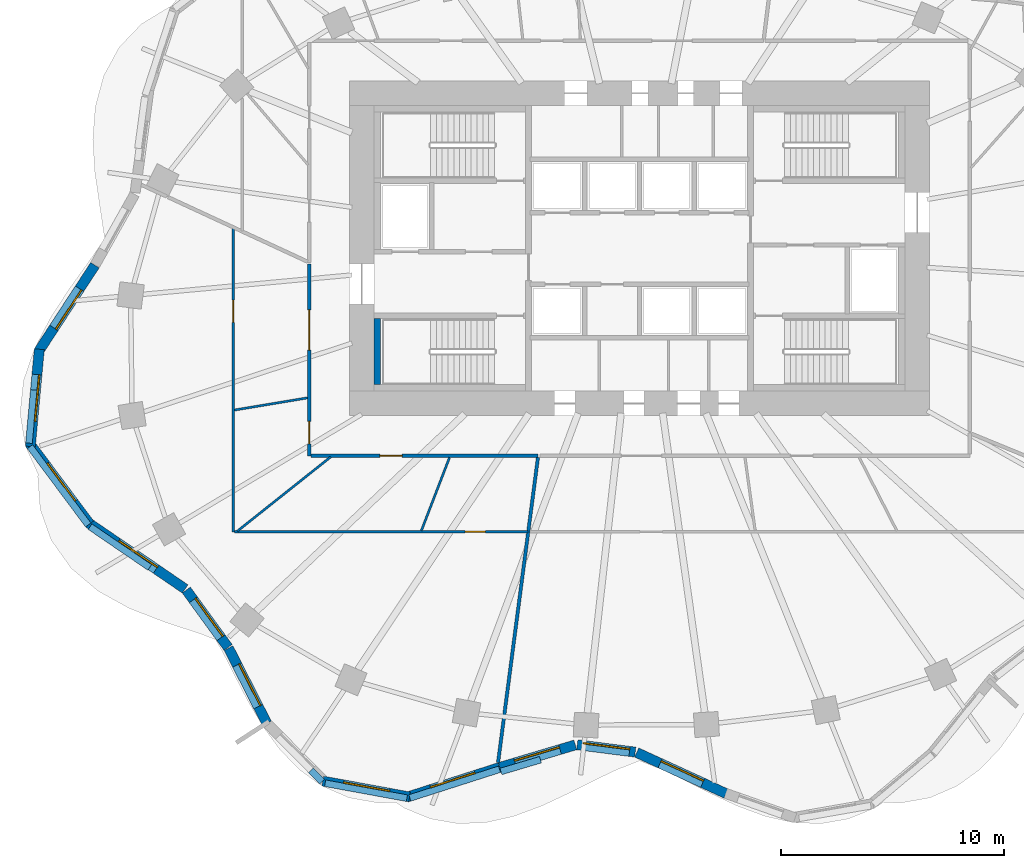
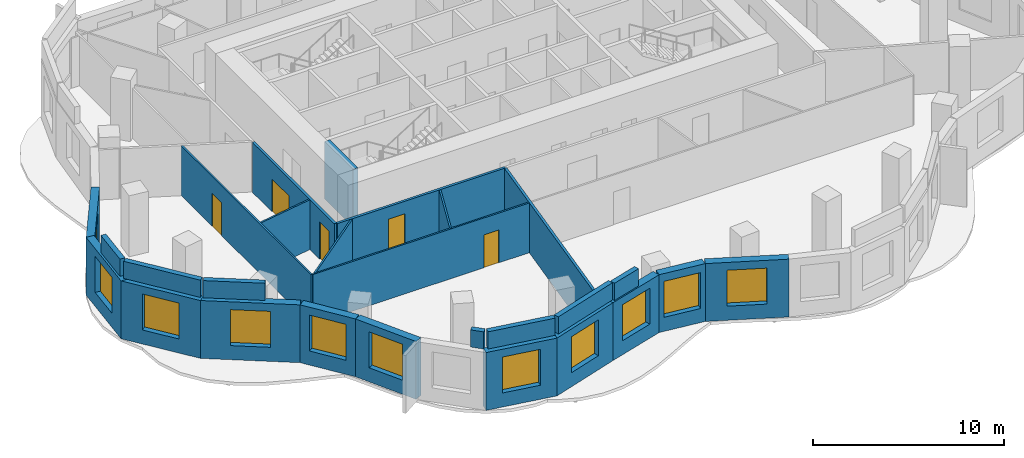
# One storey, part 3 of 9: 27 walls, 11 windows, 5 doors, 16 openings.
"""IFC4 building model written with IfcOpenShell, lengths in metres."""

from ifc_helpers import new_model, si_unit, direction, frame, frame_2d, origin, place, context, subcontext, project, spatial, rectangle, extrude, material, layer, layer_set, type_object, element, fill, save


model = new_model("IFC4")

# Units and contexts
model_context = context("Model", 3, precision=1e-05, world=origin(), true_north=direction((0.0, 1.0)))
body_context = subcontext(model_context, "Body", "Model", "MODEL_VIEW")
ifc_project = project(units=[si_unit("LENGTHUNIT", "METRE"), si_unit("AREAUNIT", "SQUARE_METRE"), si_unit("VOLUMEUNIT", "CUBIC_METRE"), si_unit("PLANEANGLEUNIT", "RADIAN"), si_unit("MASSUNIT", "GRAM", prefix="KILO")], contexts=[model_context])

# Site, building, storey
site_placement = place(None, origin())
site = spatial("IfcSite", under=ifc_project, at=site_placement, CompositionType="ELEMENT")
building_placement = place(site_placement, origin())
building = spatial("IfcBuilding", under=site, at=building_placement, Name="Rubra Terraces Tower", CompositionType="ELEMENT")
storey_placement = place(building_placement, frame((0.0, 0.0, 130.5)))
storey = spatial("IfcBuildingStorey", under=building, at=storey_placement, Name="L31", CompositionType="ELEMENT", Elevation=130.5)

# Wall, opening, window
ifc_material_1 = material(Name="Brick masonry red-brown", Category="masonry")
ifc_layer_1 = layer(ifc_material_1, 0.449951171875)
ifc_layer_set_1 = layer_set([ifc_layer_1], Name="Brick masonry red-brown")
wall_type_1 = type_object("IfcWallType", Name="Brick facade wall 450", PredefinedType="SOLIDWALL", material=ifc_layer_set_1)
wall_1_placement = place(storey_placement, frame((-24.401123046875, 3.74462890625, 0.0), z_axis=(0.0, 0.0, 1.0), x_axis=(-0.547072638725, -0.837085137819, 0.0)))
wall_1 = element("IfcWall", 1, at=wall_1_placement, inside=storey, type_object=wall_type_1, Name="Facade wall L31 bay 20", PredefinedType="SOLIDWALL", context=body_context, shape_type="SweptSolid", body=[
    extrude(rectangle(XDim=4.61572265625, YDim=0.449951171875, at=frame_2d((2.307861328125, 0.0))), origin(), (0.0, 0.0, 1.0), 3.699951171875),
])
opening_1_placement = place(wall_1_placement, frame((1.2578125, 0.0, 0.89990234375)))
opening_1 = element("IfcOpeningElement", 2, at=opening_1_placement, cuts=wall_1, Name="Opening W1B", PredefinedType="OPENING", context=body_context, shape_type="SweptSolid", body=[
    extrude(rectangle(XDim=2.10009765625, YDim=2.300048828125, at=frame_2d((1.050048828125, 1.14990234375))), frame((0.0, 0.23486328125, 0.0), z_axis=(0.0, -1.0, 0.0), x_axis=(1.0, 0.0, 0.0)), (0.0, 0.0, 1.0), 0.469970703125),
])
ifc_material_2 = material(Name="Clear glass in aluminium frame", Category="aluminium")
window_type = type_object("IfcWindowType", Name="Fixed deep-set window tall storey 2100 x 2300", PartitioningType="SINGLE_PANEL", PredefinedType="WINDOW", material=ifc_material_2)
window_1_placement = place(opening_1_placement, origin())
window_1 = element("IfcWindow", 3, at=window_1_placement, inside=storey, type_object=window_type, Name="Window L31 bay 20", OverallHeight=2.300048828125, OverallWidth=2.10009765625, PartitioningType="SINGLE_PANEL", PredefinedType="WINDOW", context=body_context, shape_type="SweptSolid", body=[
    extrude(rectangle(XDim=2.10009765625, YDim=2.300048828125, at=frame_2d((1.050048828125, 1.14990234375))), frame((0.0, 0.135009765625, 0.0), z_axis=(0.0, -1.0, 0.0), x_axis=(1.0, 0.0, 0.0)), (0.0, 0.0, 1.0), 0.06005859375),
])
fill(opening_1, window_1)

wall_2_placement = place(storey_placement, frame((-26.892822265625, -0.020751953125, 0.0), z_axis=(0.0, 0.0, 1.0), x_axis=(-0.092079421996, -0.995751665851, 0.0)))
wall_2 = element("IfcWall", 4, at=wall_2_placement, inside=storey, type_object=wall_type_1, Name="Facade wall L31 bay 21", PredefinedType="SOLIDWALL", context=body_context, shape_type="SweptSolid", body=[
    extrude(rectangle(XDim=4.37744140625, YDim=0.449951171875, at=frame_2d((2.188720703125, 0.0))), origin(), (0.0, 0.0, 1.0), 3.699951171875),
])
opening_2_placement = place(wall_2_placement, frame((1.138916015625, 0.0, 0.89990234375)))
opening_2 = element("IfcOpeningElement", 5, at=opening_2_placement, cuts=wall_2, Name="Opening W1B", PredefinedType="OPENING", context=body_context, shape_type="SweptSolid", body=[
    extrude(rectangle(XDim=2.10009765625, YDim=2.300048828125, at=frame_2d((1.050048828125, 1.14990234375))), frame((0.0, 0.23486328125, 0.0), z_axis=(0.0, -1.0, 0.0), x_axis=(1.0, 0.0, 0.0)), (0.0, 0.0, 1.0), 0.469970703125),
])
window_2_placement = place(opening_2_placement, origin())
window_2 = element("IfcWindow", 6, at=window_2_placement, inside=storey, type_object=window_type, Name="Window L31 bay 21", OverallHeight=2.300048828125, OverallWidth=2.10009765625, PartitioningType="SINGLE_PANEL", PredefinedType="WINDOW", context=body_context, shape_type="SweptSolid", body=[
    extrude(rectangle(XDim=2.10009765625, YDim=2.300048828125, at=frame_2d((1.050048828125, 1.14990234375))), frame((0.0, 0.135009765625, 0.0), z_axis=(0.0, -1.0, 0.0), x_axis=(1.0, 0.0, 0.0)), (0.0, 0.0, 1.0), 0.06005859375),
])
fill(opening_2, window_2)

wall_3_placement = place(storey_placement, frame((-27.339599609375, -4.224609375, 0.0), z_axis=(0.0, 0.0, 1.0), x_axis=(0.597544608195, -0.801835669709, 0.0)))
wall_3 = element("IfcWall", 7, at=wall_3_placement, inside=storey, type_object=wall_type_1, Name="Facade wall L31 bay 22", PredefinedType="SOLIDWALL", context=body_context, shape_type="SweptSolid", body=[
    extrude(rectangle(XDim=4.523193359375, YDim=0.449951171875, at=frame_2d((2.26171875, 0.0))), origin(), (0.0, 0.0, 1.0), 3.699951171875),
])
opening_3_placement = place(wall_3_placement, frame((1.211669921875, 0.0, 0.89990234375)))
opening_3 = element("IfcOpeningElement", 8, at=opening_3_placement, cuts=wall_3, Name="Opening W1B", PredefinedType="OPENING", context=body_context, shape_type="SweptSolid", body=[
    extrude(rectangle(XDim=2.10009765625, YDim=2.300048828125, at=frame_2d((1.050048828125, 1.14990234375))), frame((0.0, 0.23486328125, 0.0), z_axis=(0.0, -1.0, 0.0), x_axis=(1.0, 0.0, 0.0)), (0.0, 0.0, 1.0), 0.469970703125),
])
window_3_placement = place(opening_3_placement, origin())
window_3 = element("IfcWindow", 9, at=window_3_placement, inside=storey, type_object=window_type, Name="Window L31 bay 22", OverallHeight=2.300048828125, OverallWidth=2.10009765625, PartitioningType="SINGLE_PANEL", PredefinedType="WINDOW", context=body_context, shape_type="SweptSolid", body=[
    extrude(rectangle(XDim=2.10009765625, YDim=2.300048828125, at=frame_2d((1.050048828125, 1.14990234375))), frame((0.0, 0.135009765625, 0.0), z_axis=(0.0, -1.0, 0.0), x_axis=(1.0, 0.0, 0.0)), (0.0, 0.0, 1.0), 0.06005859375),
])
fill(opening_3, window_3)

wall_4_placement = place(storey_placement, frame((-24.690185546875, -7.80029296875, 0.0), z_axis=(0.0, 0.0, 1.0), x_axis=(0.825631274437, -0.564210066085, 0.0)))
wall_4 = element("IfcWall", 10, at=wall_4_placement, inside=storey, type_object=wall_type_1, Name="Facade wall L31 bay 23", PredefinedType="SOLIDWALL", context=body_context, shape_type="SweptSolid", body=[
    extrude(rectangle(XDim=5.24658203125, YDim=0.449951171875, at=frame_2d((2.623291015625, 0.0))), origin(), (0.0, 0.0, 1.0), 3.699951171875),
])
opening_4_placement = place(wall_4_placement, frame((1.573486328125, 0.0, 0.89990234375)))
opening_4 = element("IfcOpeningElement", 11, at=opening_4_placement, cuts=wall_4, Name="Opening W1B", PredefinedType="OPENING", context=body_context, shape_type="SweptSolid", body=[
    extrude(rectangle(XDim=2.10009765625, YDim=2.300048828125, at=frame_2d((1.050048828125, 1.14990234375))), frame((0.0, 0.23486328125, 0.0), z_axis=(0.0, -1.0, 0.0), x_axis=(1.0, 0.0, 0.0)), (0.0, 0.0, 1.0), 0.469970703125),
])
window_4_placement = place(opening_4_placement, origin())
window_4 = element("IfcWindow", 12, at=window_4_placement, inside=storey, type_object=window_type, Name="Window L31 bay 23", OverallHeight=2.300048828125, OverallWidth=2.10009765625, PartitioningType="SINGLE_PANEL", PredefinedType="WINDOW", context=body_context, shape_type="SweptSolid", body=[
    extrude(rectangle(XDim=2.10009765625, YDim=2.300048828125, at=frame_2d((1.050048828125, 1.14990234375))), frame((0.0, 0.135009765625, 0.0), z_axis=(0.0, -1.0, 0.0), x_axis=(1.0, 0.0, 0.0)), (0.0, 0.0, 1.0), 0.06005859375),
])
fill(opening_4, window_4)

wall_5_placement = place(storey_placement, frame((-20.307373046875, -10.808349609375, 0.0), z_axis=(0.0, 0.0, 1.0), x_axis=(0.588623179346, -0.808407541242, 0.0)))
wall_5 = element("IfcWall", 13, at=wall_5_placement, inside=storey, type_object=wall_type_1, Name="Facade wall L31 bay 24", PredefinedType="SOLIDWALL", context=body_context, shape_type="SweptSolid", body=[
    extrude(rectangle(XDim=3.1826171875, YDim=0.449951171875, at=frame_2d((1.59130859375, 0.0))), origin(), (0.0, 0.0, 1.0), 3.699951171875),
])
opening_5_placement = place(wall_5_placement, frame((0.541259765625, 0.0, 0.89990234375)))
opening_5 = element("IfcOpeningElement", 14, at=opening_5_placement, cuts=wall_5, Name="Opening W1B", PredefinedType="OPENING", context=body_context, shape_type="SweptSolid", body=[
    extrude(rectangle(XDim=2.10009765625, YDim=2.300048828125, at=frame_2d((1.050048828125, 1.14990234375))), frame((0.0, 0.23486328125, 0.0), z_axis=(0.0, -1.0, 0.0), x_axis=(1.0, 0.0, 0.0)), (0.0, 0.0, 1.0), 0.469970703125),
])
window_5_placement = place(opening_5_placement, origin())
window_5 = element("IfcWindow", 15, at=window_5_placement, inside=storey, type_object=window_type, Name="Window L31 bay 24", OverallHeight=2.300048828125, OverallWidth=2.10009765625, PartitioningType="SINGLE_PANEL", PredefinedType="WINDOW", context=body_context, shape_type="SweptSolid", body=[
    extrude(rectangle(XDim=2.10009765625, YDim=2.300048828125, at=frame_2d((1.050048828125, 1.14990234375))), frame((0.0, 0.135009765625, 0.0), z_axis=(0.0, -1.0, 0.0), x_axis=(1.0, 0.0, 0.0)), (0.0, 0.0, 1.0), 0.06005859375),
])
fill(opening_5, window_5)

wall_6_placement = place(storey_placement, frame((-18.4140625, -13.412109375, 0.0), z_axis=(0.0, 0.0, 1.0), x_axis=(0.453339558905, -0.891337895712, 0.0)))
wall_6 = element("IfcWall", 16, at=wall_6_placement, inside=storey, type_object=wall_type_1, Name="Facade wall L31 bay 25", PredefinedType="SOLIDWALL", context=body_context, shape_type="SweptSolid", body=[
    extrude(rectangle(XDim=3.78759765625, YDim=0.449951171875, at=frame_2d((1.893798828125, 0.0))), origin(), (0.0, 0.0, 1.0), 3.699951171875),
])
opening_6_placement = place(wall_6_placement, frame((0.843994140625, 0.0, 0.89990234375)))
opening_6 = element("IfcOpeningElement", 17, at=opening_6_placement, cuts=wall_6, Name="Opening W1B", PredefinedType="OPENING", context=body_context, shape_type="SweptSolid", body=[
    extrude(rectangle(XDim=2.10009765625, YDim=2.300048828125, at=frame_2d((1.050048828125, 1.14990234375))), frame((0.0, 0.23486328125, 0.0), z_axis=(0.0, -1.0, 0.0), x_axis=(1.0, 0.0, 0.0)), (0.0, 0.0, 1.0), 0.469970703125),
])
window_6_placement = place(opening_6_placement, origin())
window_6 = element("IfcWindow", 18, at=window_6_placement, inside=storey, type_object=window_type, Name="Window L31 bay 25", OverallHeight=2.300048828125, OverallWidth=2.10009765625, PartitioningType="SINGLE_PANEL", PredefinedType="WINDOW", context=body_context, shape_type="SweptSolid", body=[
    extrude(rectangle(XDim=2.10009765625, YDim=2.300048828125, at=frame_2d((1.050048828125, 1.14990234375))), frame((0.0, 0.135009765625, 0.0), z_axis=(0.0, -1.0, 0.0), x_axis=(1.0, 0.0, 0.0)), (0.0, 0.0, 1.0), 0.06005859375),
])
fill(opening_6, window_6)

wall_7_placement = place(storey_placement, frame((-14.193603515625, -19.36962890625, 0.0), z_axis=(0.0, 0.0, 1.0), x_axis=(0.983644868335, -0.180118774698, 0.0)))
wall_7 = element("IfcWall", 19, at=wall_7_placement, inside=storey, type_object=wall_type_1, Name="Facade wall L31 bay 27", PredefinedType="SOLIDWALL", context=body_context, shape_type="SweptSolid", body=[
    extrude(rectangle(XDim=3.953857421875, YDim=0.449951171875, at=frame_2d((1.97705078125, 0.0))), origin(), (0.0, 0.0, 1.0), 3.699951171875),
])
opening_7_placement = place(wall_7_placement, frame((0.9267578125, 0.0, 0.89990234375)))
opening_7 = element("IfcOpeningElement", 20, at=opening_7_placement, cuts=wall_7, Name="Opening W1B", PredefinedType="OPENING", context=body_context, shape_type="SweptSolid", body=[
    extrude(rectangle(XDim=2.10009765625, YDim=2.300048828125, at=frame_2d((1.050048828125, 1.14990234375))), frame((0.0, 0.23486328125, 0.0), z_axis=(0.0, -1.0, 0.0), x_axis=(1.0, 0.0, 0.0)), (0.0, 0.0, 1.0), 0.469970703125),
])
window_7_placement = place(opening_7_placement, origin())
window_7 = element("IfcWindow", 21, at=window_7_placement, inside=storey, type_object=window_type, Name="Window L31 bay 27", OverallHeight=2.300048828125, OverallWidth=2.10009765625, PartitioningType="SINGLE_PANEL", PredefinedType="WINDOW", context=body_context, shape_type="SweptSolid", body=[
    extrude(rectangle(XDim=2.10009765625, YDim=2.300048828125, at=frame_2d((1.050048828125, 1.14990234375))), frame((0.0, 0.135009765625, 0.0), z_axis=(0.0, -1.0, 0.0), x_axis=(1.0, 0.0, 0.0)), (0.0, 0.0, 1.0), 0.06005859375),
])
fill(opening_7, window_7)

wall_8_placement = place(storey_placement, frame((-10.410888671875, -20.087890625, 0.0), z_axis=(0.0, 0.0, 1.0), x_axis=(0.952259303219, 0.305290385423, 0.0)))
wall_8 = element("IfcWall", 22, at=wall_8_placement, inside=storey, type_object=wall_type_1, Name="Facade wall L31 bay 28", PredefinedType="SOLIDWALL", context=body_context, shape_type="SweptSolid", body=[
    extrude(rectangle(XDim=4.354248046875, YDim=0.449951171875, at=frame_2d((2.17724609375, 0.0))), origin(), (0.0, 0.0, 1.0), 3.699951171875),
])
opening_8_placement = place(wall_8_placement, frame((1.127197265625, 0.0, 0.89990234375)))
opening_8 = element("IfcOpeningElement", 23, at=opening_8_placement, cuts=wall_8, Name="Opening W1B", PredefinedType="OPENING", context=body_context, shape_type="SweptSolid", body=[
    extrude(rectangle(XDim=2.10009765625, YDim=2.300048828125, at=frame_2d((1.050048828125, 1.14990234375))), frame((0.0, 0.23486328125, 0.0), z_axis=(0.0, -1.0, 0.0), x_axis=(1.0, 0.0, 0.0)), (0.0, 0.0, 1.0), 0.469970703125),
])
window_8_placement = place(opening_8_placement, origin())
window_8 = element("IfcWindow", 24, at=window_8_placement, inside=storey, type_object=window_type, Name="Window L31 bay 28", OverallHeight=2.300048828125, OverallWidth=2.10009765625, PartitioningType="SINGLE_PANEL", PredefinedType="WINDOW", context=body_context, shape_type="SweptSolid", body=[
    extrude(rectangle(XDim=2.10009765625, YDim=2.300048828125, at=frame_2d((1.050048828125, 1.14990234375))), frame((0.0, 0.135009765625, 0.0), z_axis=(0.0, -1.0, 0.0), x_axis=(1.0, 0.0, 0.0)), (0.0, 0.0, 1.0), 0.06005859375),
])
fill(opening_8, window_8)

wall_9_placement = place(storey_placement, frame((-6.25927734375, -18.757080078125, 0.0), z_axis=(0.0, 0.0, 1.0), x_axis=(0.958402993098, 0.285418469658, 0.0)))
wall_9 = element("IfcWall", 25, at=wall_9_placement, inside=storey, type_object=wall_type_1, Name="Facade wall L31 bay 29", PredefinedType="SOLIDWALL", context=body_context, shape_type="SweptSolid", body=[
    extrude(rectangle(XDim=3.530029296875, YDim=0.449951171875, at=frame_2d((1.76513671875, 0.0))), origin(), (0.0, 0.0, 1.0), 3.699951171875),
])
opening_9_placement = place(wall_9_placement, frame((0.715087890625, 0.0, 0.89990234375)))
opening_9 = element("IfcOpeningElement", 26, at=opening_9_placement, cuts=wall_9, Name="Opening W1B", PredefinedType="OPENING", context=body_context, shape_type="SweptSolid", body=[
    extrude(rectangle(XDim=2.10009765625, YDim=2.300048828125, at=frame_2d((1.050048828125, 1.14990234375))), frame((0.0, 0.23486328125, 0.0), z_axis=(0.0, -1.0, 0.0), x_axis=(1.0, 0.0, 0.0)), (0.0, 0.0, 1.0), 0.469970703125),
])
window_9_placement = place(opening_9_placement, origin())
window_9 = element("IfcWindow", 27, at=window_9_placement, inside=storey, type_object=window_type, Name="Window L31 bay 29", OverallHeight=2.300048828125, OverallWidth=2.10009765625, PartitioningType="SINGLE_PANEL", PredefinedType="WINDOW", context=body_context, shape_type="SweptSolid", body=[
    extrude(rectangle(XDim=2.10009765625, YDim=2.300048828125, at=frame_2d((1.050048828125, 1.14990234375))), frame((0.0, 0.135009765625, 0.0), z_axis=(0.0, -1.0, 0.0), x_axis=(1.0, 0.0, 0.0)), (0.0, 0.0, 1.0), 0.06005859375),
])
fill(opening_9, window_9)

wall_10_placement = place(storey_placement, frame((-2.786865234375, -17.7431640625, 0.0), z_axis=(0.0, 0.0, 1.0), x_axis=(0.992082884112, -0.125584836078, 0.0)))
wall_10 = element("IfcWall", 28, at=wall_10_placement, inside=storey, type_object=wall_type_1, Name="Facade wall L31 bay 30", PredefinedType="SOLIDWALL", context=body_context, shape_type="SweptSolid", body=[
    extrude(rectangle(XDim=2.61669921875, YDim=0.449951171875, at=frame_2d((1.308349609375, 0.0))), origin(), (0.0, 0.0, 1.0), 3.699951171875),
])
opening_10_placement = place(wall_10_placement, frame((0.25830078125, 0.0, 0.89990234375)))
opening_10 = element("IfcOpeningElement", 29, at=opening_10_placement, cuts=wall_10, Name="Opening W1B", PredefinedType="OPENING", context=body_context, shape_type="SweptSolid", body=[
    extrude(rectangle(XDim=2.10009765625, YDim=2.300048828125, at=frame_2d((1.050048828125, 1.14990234375))), frame((0.0, 0.23486328125, 0.0), z_axis=(0.0, -1.0, 0.0), x_axis=(1.0, 0.0, 0.0)), (0.0, 0.0, 1.0), 0.469970703125),
])
window_10_placement = place(opening_10_placement, origin())
window_10 = element("IfcWindow", 30, at=window_10_placement, inside=storey, type_object=window_type, Name="Window L31 bay 30", OverallHeight=2.300048828125, OverallWidth=2.10009765625, PartitioningType="SINGLE_PANEL", PredefinedType="WINDOW", context=body_context, shape_type="SweptSolid", body=[
    extrude(rectangle(XDim=2.10009765625, YDim=2.300048828125, at=frame_2d((1.050048828125, 1.14990234375))), frame((0.0, 0.135009765625, 0.0), z_axis=(0.0, -1.0, 0.0), x_axis=(1.0, 0.0, 0.0)), (0.0, 0.0, 1.0), 0.06005859375),
])
fill(opening_10, window_10)

wall_11_placement = place(storey_placement, frame((-0.125, -18.090576171875, 0.0), z_axis=(0.0, 0.0, 1.0), x_axis=(0.908677980036, -0.417497698912, 0.0)))
wall_11 = element("IfcWall", 31, at=wall_11_placement, inside=storey, type_object=wall_type_1, Name="Facade wall L31 bay 31", PredefinedType="SOLIDWALL", context=body_context, shape_type="SweptSolid", body=[
    extrude(rectangle(XDim=4.40673828125, YDim=0.449951171875, at=frame_2d((2.203369140625, 0.0))), origin(), (0.0, 0.0, 1.0), 3.699951171875),
])
opening_11_placement = place(wall_11_placement, frame((1.153564453125, 0.0, 0.89990234375)))
opening_11 = element("IfcOpeningElement", 32, at=opening_11_placement, cuts=wall_11, Name="Opening W1B", PredefinedType="OPENING", context=body_context, shape_type="SweptSolid", body=[
    extrude(rectangle(XDim=2.10009765625, YDim=2.300048828125, at=frame_2d((1.050048828125, 1.14990234375))), frame((0.0, 0.23486328125, 0.0), z_axis=(0.0, -1.0, 0.0), x_axis=(1.0, 0.0, 0.0)), (0.0, 0.0, 1.0), 0.469970703125),
])
window_11_placement = place(opening_11_placement, origin())
window_11 = element("IfcWindow", 33, at=window_11_placement, inside=storey, type_object=window_type, Name="Window L31 bay 31", OverallHeight=2.300048828125, OverallWidth=2.10009765625, PartitioningType="SINGLE_PANEL", PredefinedType="WINDOW", context=body_context, shape_type="SweptSolid", body=[
    extrude(rectangle(XDim=2.10009765625, YDim=2.300048828125, at=frame_2d((1.050048828125, 1.14990234375))), frame((0.0, 0.135009765625, 0.0), z_axis=(0.0, -1.0, 0.0), x_axis=(1.0, 0.0, 0.0)), (0.0, 0.0, 1.0), 0.06005859375),
])
fill(opening_11, window_11)

# Walls
ifc_layer_2 = layer(ifc_material_1, 0.300048828125)
ifc_layer_set_2 = layer_set([ifc_layer_2], Name="Brick masonry red-brown")
wall_type_2 = type_object("IfcWallType", Name="Brick parapet 300", PredefinedType="PARAPET", material=ifc_layer_set_2)
wall_12_placement = place(storey_placement, frame((-27.136962890625, -1.84423828125, 3.89990234375), z_axis=(0.0, 0.0, 1.0), x_axis=(-0.09207090573, -0.995752453333, 0.0)))
element("IfcWall", 34, at=wall_12_placement, inside=storey, type_object=wall_type_2, Name="Parapet L31 bay 21", PredefinedType="PARAPET", context=body_context, shape_type="SweptSolid", body=[
    extrude(rectangle(XDim=2.39453125, YDim=0.300048828125, at=frame_2d((1.197265625, 0.0))), origin(), (0.0, 0.0, 1.0), 1.10009765625),
])
wall_13_placement = place(storey_placement, frame((-27.31298828125, -4.3857421875, 3.89990234375), z_axis=(0.0, 0.0, 1.0), x_axis=(0.59755096896, -0.801830929495, 0.0)))
element("IfcWall", 35, at=wall_13_placement, inside=storey, type_object=wall_type_2, Name="Parapet L31 bay 22", PredefinedType="PARAPET", context=body_context, shape_type="SweptSolid", body=[
    extrude(rectangle(XDim=4.375244140625, YDim=0.300048828125, at=frame_2d((2.1875, 0.0))), origin(), (0.0, 0.0, 1.0), 1.10009765625),
])
wall_14_placement = place(storey_placement, frame((-24.620361328125, -7.96923828125, 3.89990234375), z_axis=(0.0, 0.0, 1.0), x_axis=(0.825656338645, -0.564173386872, 0.0)))
element("IfcWall", 36, at=wall_14_placement, inside=storey, type_object=wall_type_2, Name="Parapet L31 bay 23", PredefinedType="PARAPET", context=body_context, shape_type="SweptSolid", body=[
    extrude(rectangle(XDim=3.24072265625, YDim=0.300048828125, at=frame_2d((1.620361328125, 0.0))), origin(), (0.0, 0.0, 1.0), 1.10009765625),
])
wall_15_placement = place(storey_placement, frame((-14.719482421875, -18.885498046875, 3.89990234375), z_axis=(0.0, 0.0, 1.0), x_axis=(0.702333802144, -0.711847757857, 0.0)))
element("IfcWall", 37, at=wall_15_placement, inside=storey, type_object=wall_type_2, Name="Parapet L31 bay 26", PredefinedType="PARAPET", context=body_context, shape_type="SweptSolid", body=[
    extrude(rectangle(XDim=0.718505859375, YDim=0.300048828125, at=frame_2d((0.359375, 0.0))), origin(), (0.0, 0.0, 1.0), 1.10009765625),
])
wall_16_placement = place(storey_placement, frame((-14.08447265625, -19.4658203125, 3.89990234375), z_axis=(0.0, 0.0, 1.0), x_axis=(0.983649941349, -0.180091068307, 0.0)))
element("IfcWall", 38, at=wall_16_placement, inside=storey, type_object=wall_type_2, Name="Parapet L31 bay 27", PredefinedType="PARAPET", context=body_context, shape_type="SweptSolid", body=[
    extrude(rectangle(XDim=3.723876953125, YDim=0.300048828125, at=frame_2d((1.86181640625, 0.0))), origin(), (0.0, 0.0, 1.0), 1.10009765625),
])
wall_17_placement = place(storey_placement, frame((-10.29052734375, -20.1279296875, 3.89990234375), z_axis=(0.0, 0.0, 1.0), x_axis=(0.95227021617, 0.305256343745, 0.0)))
element("IfcWall", 39, at=wall_17_placement, inside=storey, type_object=wall_type_2, Name="Parapet L31 bay 28", PredefinedType="PARAPET", context=body_context, shape_type="SweptSolid", body=[
    extrude(rectangle(XDim=4.220458984375, YDim=0.300048828125, at=frame_2d((2.1103515625, 0.0))), origin(), (0.0, 0.0, 1.0), 1.10009765625),
])
wall_18_placement = place(storey_placement, frame((-6.2080078125, -18.939697265625, 3.89990234375), z_axis=(0.0, 0.0, 1.0), x_axis=(0.958406458316, 0.285406833587, 0.0)))
element("IfcWall", 40, at=wall_18_placement, inside=storey, type_object=wall_type_2, Name="Parapet L31 bay 29", PredefinedType="PARAPET", context=body_context, shape_type="SweptSolid", body=[
    extrude(rectangle(XDim=1.846923828125, YDim=0.300048828125, at=frame_2d((0.92333984375, 0.0))), origin(), (0.0, 0.0, 1.0), 1.10009765625),
])

# Wall, openings, doors
ifc_material_3 = material(Name="Plasterboard on steel stud, mineral wool infill", Category="steel")
ifc_layer_3 = layer(ifc_material_3, 0.14990234375)
ifc_layer_set_3 = layer_set([ifc_layer_3], Name="Plasterboard on steel stud, mineral wool infill")
wall_type_3 = type_object("IfcWallType", Name="CORRIDOR PARTITION 150", PredefinedType="PARTITIONING", material=ifc_layer_set_3)
wall_19_placement = place(storey_placement, frame((-14.800048828125, 3.79296875, 0.0), z_axis=(0.0, 0.0, 1.0), x_axis=(0.0, -1.0, 0.0)))
wall_19 = element("IfcWall", 41, at=wall_19_placement, inside=storey, type_object=wall_type_3, Name="PARTITION", PredefinedType="PARTITIONING", context=body_context, shape_type="SweptSolid", body=[
    extrude(rectangle(XDim=8.593017578125, YDim=0.14990234375, at=frame_2d((4.29638671875, 0.0))), origin(), (0.0, 0.0, 1.0), 3.197998046875),
])
opening_12_placement = place(wall_19_placement, frame((2.052978515625, 0.0, 0.0)))
opening_12 = element("IfcOpeningElement", 42, at=opening_12_placement, cuts=wall_19, Name="Opening 31-105", PredefinedType="OPENING", context=body_context, shape_type="SweptSolid", body=[
    extrude(rectangle(XDim=1.800048828125, YDim=2.10009765625, at=frame_2d((0.89990234375, 1.050048828125))), frame((0.0, 0.0849609375, 0.0), z_axis=(0.0, -1.0, 0.0), x_axis=(1.0, 0.0, 0.0)), (0.0, 0.0, 1.0), 0.169921875),
])
opening_13_placement = place(wall_19_placement, frame((7.050048828125, 0.0, 0.0)))
opening_13 = element("IfcOpeningElement", 43, at=opening_13_placement, cuts=wall_19, Name="Opening 31-107", PredefinedType="OPENING", context=body_context, shape_type="SweptSolid", body=[
    extrude(rectangle(XDim=1.0, YDim=2.39990234375, at=frame_2d((0.5, 1.199951171875))), frame((0.0, 0.0849609375, 0.0), z_axis=(0.0, -1.0, 0.0), x_axis=(1.0, 0.0, 0.0)), (0.0, 0.0, 1.0), 0.169921875),
])
ifc_material_4 = material(Name="Glazed aluminium meeting door leaf", Category="aluminium")
door_type_1 = type_object("IfcDoorType", Name="MEETING ROOM GLAZED DOOR 1000 X 2400", OperationType="SINGLE_SWING_LEFT", PredefinedType="DOOR", material=ifc_material_4)
door_1_placement = place(opening_13_placement, origin())
door_1 = element("IfcDoor", 44, at=door_1_placement, inside=storey, type_object=door_type_1, Name="DOOR 31-107", OperationType="SINGLE_SWING_RIGHT", OverallHeight=2.39990234375, OverallWidth=1.0, PredefinedType="DOOR", context=body_context, shape_type="SweptSolid", body=[
    extrude(rectangle(XDim=1.0, YDim=2.39990234375, at=frame_2d((0.5, 1.199951171875))), frame((0.0, 0.02490234375, 0.0), z_axis=(0.0, -1.0, 0.0), x_axis=(1.0, 0.0, 0.0)), (0.0, 0.0, 1.0), 0.050048828125),
])
fill(opening_13, door_1)
ifc_material_5 = material(Name="Painted timber door leaf, double", Category="wood")
door_type_2 = type_object("IfcDoorType", Name="ROOM DOUBLE DOOR 1800 X 2100", OperationType="DOUBLE_DOOR_SINGLE_SWING", PredefinedType="DOOR", material=ifc_material_5)
door_2_placement = place(opening_12_placement, origin())
door_2 = element("IfcDoor", 45, at=door_2_placement, inside=storey, type_object=door_type_2, Name="DOOR 31-105", OperationType="DOUBLE_DOOR_SINGLE_SWING", OverallHeight=2.10009765625, OverallWidth=1.800048828125, PredefinedType="DOOR", context=body_context, shape_type="SweptSolid", body=[
    extrude(rectangle(XDim=1.800048828125, YDim=2.10009765625, at=frame_2d((0.89990234375, 1.050048828125))), frame((0.0, 0.02490234375, 0.0), z_axis=(0.0, -1.0, 0.0), x_axis=(1.0, 0.0, 0.0)), (0.0, 0.0, 1.0), 0.050048828125),
])
fill(opening_12, door_2)

# Wall, opening, door
wall_20_placement = place(storey_placement, frame((-14.72509765625, -4.800048828125, 0.0), z_axis=(0.0, 0.0, 1.0), x_axis=(1.0, 0.0, 0.0)))
wall_20 = element("IfcWall", 46, at=wall_20_placement, inside=storey, type_object=wall_type_3, Name="PARTITION", PredefinedType="PARTITIONING", context=body_context, shape_type="SweptSolid", body=[
    extrude(rectangle(XDim=10.184814453125, YDim=0.14990234375, at=frame_2d((5.09228515625, 0.0))), origin(), (0.0, 0.0, 1.0), 3.197998046875),
])
opening_14_placement = place(wall_20_placement, frame((3.093017578125, 0.0, 0.0)))
opening_14 = element("IfcOpeningElement", 47, at=opening_14_placement, cuts=wall_20, Name="Opening 31-108", PredefinedType="OPENING", context=body_context, shape_type="SweptSolid", body=[
    extrude(rectangle(XDim=1.0, YDim=2.39990234375, at=frame_2d((0.5, 1.199951171875))), frame((0.0, 0.0849609375, 0.0), z_axis=(0.0, -1.0, 0.0), x_axis=(1.0, 0.0, 0.0)), (0.0, 0.0, 1.0), 0.169921875),
])
door_3_placement = place(opening_14_placement, origin())
door_3 = element("IfcDoor", 48, at=door_3_placement, inside=storey, type_object=door_type_1, Name="DOOR 31-108", OperationType="SINGLE_SWING_RIGHT", OverallHeight=2.39990234375, OverallWidth=1.0, PredefinedType="DOOR", context=body_context, shape_type="SweptSolid", body=[
    extrude(rectangle(XDim=1.0, YDim=2.39990234375, at=frame_2d((0.5, 1.199951171875))), frame((0.0, 0.02490234375, 0.0), z_axis=(0.0, -1.0, 0.0), x_axis=(1.0, 0.0, 0.0)), (0.0, 0.0, 1.0), 0.050048828125),
])
fill(opening_14, door_3)

# Wall
ifc_material_6 = material(Name="Concrete C40", Category="concrete")
ifc_layer_4 = layer(ifc_material_6, 0.300048828125)
ifc_layer_set_4 = layer_set([ifc_layer_4], Name="Concrete C40")
wall_type_4 = type_object("IfcWallType", Name="Core lining wall 300 concrete", PredefinedType="SOLIDWALL", material=ifc_layer_set_4)
wall_21_placement = place(storey_placement, frame((-11.75, -1.60009765625, 0.0), z_axis=(0.0, 0.0, 1.0), x_axis=(0.0, 1.0, 0.0)))
element("IfcWall", 49, at=wall_21_placement, inside=storey, type_object=wall_type_4, Name="CORE LINING WALL L31", PredefinedType="SOLIDWALL", context=body_context, shape_type="SweptSolid", body=[
    extrude(rectangle(XDim=2.9501953125, YDim=0.300048828125, at=frame_2d((1.47509765625, 0.0))), origin(), (0.0, 0.0, 1.0), 3.699951171875),
])

# Wall, opening, door
ifc_material_7 = material(Name="Plasterboard on steel stud", Category="steel")
ifc_layer_5 = layer(ifc_material_7, 0.10009765625)
ifc_layer_set_5 = layer_set([ifc_layer_5], Name="Plasterboard on steel stud")
wall_type_5 = type_object("IfcWallType", Name="ROOM PARTITION 100", PredefinedType="PARTITIONING", material=ifc_layer_set_5)
wall_22_placement = place(storey_placement, frame((-18.199951171875, -8.199951171875, 0.0), z_axis=(0.0, 0.0, 1.0), x_axis=(0.0, 1.0, 0.0)))
wall_22 = element("IfcWall", 50, at=wall_22_placement, inside=storey, type_object=wall_type_5, Name="PARTITION", PredefinedType="PARTITIONING", context=body_context, shape_type="SweptSolid", body=[
    extrude(rectangle(XDim=13.619140625, YDim=0.10009765625, at=frame_2d((6.8095703125, 0.0))), origin(), (0.0, 0.0, 1.0), 3.18408203125),
])
opening_15_placement = place(wall_22_placement, frame((9.383056640625, 0.0, 0.0)))
opening_15 = element("IfcOpeningElement", 51, at=opening_15_placement, cuts=wall_22, Name="Opening 31-106", PredefinedType="OPENING", context=body_context, shape_type="SweptSolid", body=[
    extrude(rectangle(XDim=1.0, YDim=2.10009765625, at=frame_2d((0.5, 1.050048828125))), frame((0.0, 0.06005859375, 0.0), z_axis=(0.0, -1.0, 0.0), x_axis=(1.0, 0.0, 0.0)), (0.0, 0.0, 1.0), 0.1201171875),
])
ifc_material_8 = material(Name="Painted timber door leaf", Category="wood")
door_type_3 = type_object("IfcDoorType", Name="ROOM DOOR 1000 X 2100", OperationType="SINGLE_SWING_LEFT", PredefinedType="DOOR", material=ifc_material_8)
door_4_placement = place(opening_15_placement, origin())
door_4 = element("IfcDoor", 52, at=door_4_placement, inside=storey, type_object=door_type_3, Name="DOOR 31-106", OperationType="SINGLE_SWING_LEFT", OverallHeight=2.10009765625, OverallWidth=1.0, PredefinedType="DOOR", context=body_context, shape_type="SweptSolid", body=[
    extrude(rectangle(XDim=1.0, YDim=2.10009765625, at=frame_2d((0.5, 1.050048828125))), frame((0.0, 0.02490234375, 0.0), z_axis=(0.0, -1.0, 0.0), x_axis=(1.0, 0.0, 0.0)), (0.0, 0.0, 1.0), 0.050048828125),
])
fill(opening_15, door_4)

wall_23_placement = place(storey_placement, frame((-5.005126953125, -8.199951171875, 0.0), z_axis=(0.0, 0.0, 1.0), x_axis=(-1.0, 0.0, 0.0)))
wall_23 = element("IfcWall", 53, at=wall_23_placement, inside=storey, type_object=wall_type_5, Name="PARTITION", PredefinedType="PARTITIONING", context=body_context, shape_type="SweptSolid", body=[
    extrude(rectangle(XDim=13.144775390625, YDim=0.10009765625, at=frame_2d((6.572265625, 0.0))), origin(), (0.0, 0.0, 1.0), 3.18408203125),
])
opening_16_placement = place(wall_23_placement, frame((1.906005859375, 0.0, 0.0)))
opening_16 = element("IfcOpeningElement", 54, at=opening_16_placement, cuts=wall_23, Name="Opening 31-109", PredefinedType="OPENING", context=body_context, shape_type="SweptSolid", body=[
    extrude(rectangle(XDim=0.89990234375, YDim=2.10009765625, at=frame_2d((0.449951171875, 1.050048828125))), frame((0.0, 0.06005859375, 0.0), z_axis=(0.0, -1.0, 0.0), x_axis=(1.0, 0.0, 0.0)), (0.0, 0.0, 1.0), 0.1201171875),
])
door_type_4 = type_object("IfcDoorType", Name="ROOM DOOR 900 X 2100", OperationType="SINGLE_SWING_LEFT", PredefinedType="DOOR", material=ifc_material_8)
door_5_placement = place(opening_16_placement, origin())
door_5 = element("IfcDoor", 55, at=door_5_placement, inside=storey, type_object=door_type_4, Name="DOOR 31-109", OperationType="SINGLE_SWING_RIGHT", OverallHeight=2.10009765625, OverallWidth=0.89990234375, PredefinedType="DOOR", context=body_context, shape_type="SweptSolid", body=[
    extrude(rectangle(XDim=0.89990234375, YDim=2.10009765625, at=frame_2d((0.449951171875, 1.050048828125))), frame((0.0, 0.02490234375, 0.0), z_axis=(0.0, -1.0, 0.0), x_axis=(1.0, 0.0, 0.0)), (0.0, 0.0, 1.0), 0.050048828125),
])
fill(opening_16, door_5)

# Walls
wall_24_placement = place(storey_placement, frame((-14.8740234375, -2.199951171875, 0.0), z_axis=(0.0, 0.0, 1.0), x_axis=(-0.986415765856, -0.164267881431, 0.0)))
element("IfcWall", 56, at=wall_24_placement, inside=storey, type_object=wall_type_5, Name="PARTITION", PredefinedType="PARTITIONING", context=body_context, shape_type="SweptSolid", body=[
    extrude(rectangle(XDim=3.32177734375, YDim=0.10009765625, at=frame_2d((1.660888671875, 0.0))), origin(), (0.0, 0.0, 1.0), 3.18408203125),
])
wall_25_placement = place(storey_placement, frame((-13.837646484375, -4.8466796875, 0.0), z_axis=(0.0, 0.0, 1.0), x_axis=(-0.782880927661, -0.622171562437, 0.0)))
element("IfcWall", 57, at=wall_25_placement, inside=storey, type_object=wall_type_5, Name="PARTITION", PredefinedType="PARTITIONING", context=body_context, shape_type="SweptSolid", body=[
    extrude(rectangle(XDim=5.33984375, YDim=0.10009765625, at=frame_2d((2.669921875, 0.0))), origin(), (0.0, 0.0, 1.0), 3.18408203125),
])
wall_26_placement = place(storey_placement, frame((-8.511962890625, -4.8701171875, 0.0), z_axis=(0.0, 0.0, 1.0), x_axis=(-0.359020935305, -0.933329506666, 0.0)))
element("IfcWall", 58, at=wall_26_placement, inside=storey, type_object=wall_type_5, Name="PARTITION", PredefinedType="PARTITIONING", context=body_context, shape_type="SweptSolid", body=[
    extrude(rectangle(XDim=3.517822265625, YDim=0.10009765625, at=frame_2d((1.7587890625, 0.0))), origin(), (0.0, 0.0, 1.0), 3.18408203125),
])
ifc_layer_6 = layer(ifc_material_7, 0.14990234375)
ifc_layer_set_6 = layer_set([ifc_layer_6], Name="Plasterboard on steel stud")
wall_type_6 = type_object("IfcWallType", Name="ROOM PARTITION 150", PredefinedType="PARTITIONING", material=ifc_layer_set_6)
wall_27_placement = place(storey_placement, frame((-6.33740234375, -18.54150390625, 0.0), z_axis=(0.0, 0.0, 1.0), x_axis=(0.129674631383, 0.991556599482, 0.0)))
element("IfcWall", 59, at=wall_27_placement, inside=storey, type_object=wall_type_6, Name="PARTITION", PredefinedType="PARTITIONING", context=body_context, shape_type="SweptSolid", body=[
    extrude(rectangle(XDim=13.783447265625, YDim=0.14990234375, at=frame_2d((6.8916015625, 0.0))), origin(), (0.0, 0.0, 1.0), 3.197998046875),
])

save(model, "model.ifc")
